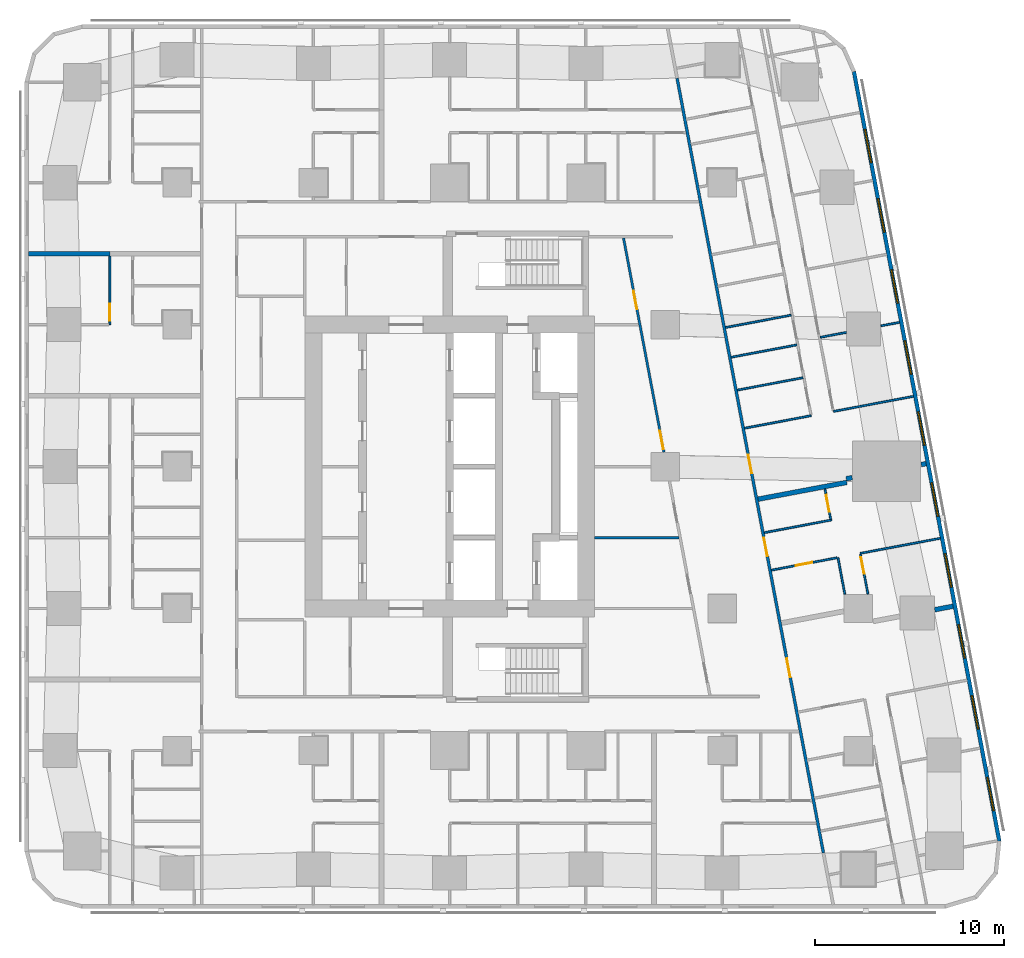
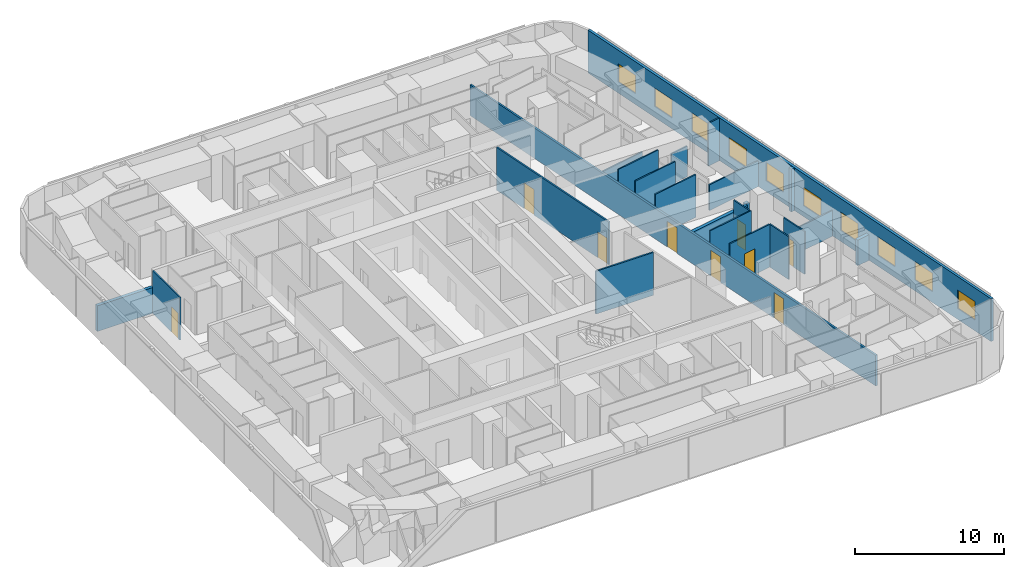
# One storey, part 7 of 14: 23 walls, 10 windows, 9 doors, 19 openings.
"""IFC4 building model written with IfcOpenShell, lengths in metres."""

from ifc_helpers import new_model, si_unit, direction, frame, frame_2d, origin, place, context, subcontext, project, spatial, rectangle, extrude, material, layer, layer_set, type_object, element, fill, save


model = new_model("IFC4")

# Units and contexts
model_context = context("Model", 3, precision=1e-05, world=origin(), true_north=direction((0.0, 1.0)))
body_context = subcontext(model_context, "Body", "Model", "MODEL_VIEW")
ifc_project = project(units=[si_unit("LENGTHUNIT", "METRE"), si_unit("AREAUNIT", "SQUARE_METRE"), si_unit("VOLUMEUNIT", "CUBIC_METRE"), si_unit("PLANEANGLEUNIT", "RADIAN"), si_unit("MASSUNIT", "GRAM", prefix="KILO")], contexts=[model_context])

# Site, building, storey
site_placement = place(None, origin())
site = spatial("IfcSite", under=ifc_project, at=site_placement, CompositionType="ELEMENT")
building_placement = place(site_placement, origin())
building = spatial("IfcBuilding", under=site, at=building_placement, Name="Sheger Commons Tower", CompositionType="ELEMENT")
storey_placement = place(building_placement, frame((0.0, 0.0, 135.800048828125)))
storey = spatial("IfcBuildingStorey", under=building, at=storey_placement, Name="L34", CompositionType="ELEMENT", Elevation=135.800048828125)

# Wall, openings, doors
ifc_material_1 = material(Name="Hollow concrete block masonry, skimmed both sides", Category="masonry")
ifc_layer_1 = layer(ifc_material_1, 0.14990234375)
ifc_layer_set_1 = layer_set([ifc_layer_1], Name="CORRIDOR WALL 150")
wall_type_1 = type_object("IfcWallType", Name="CORRIDOR WALL 150", PredefinedType="SOLIDWALL", material=ifc_layer_set_1)
wall_1_placement = place(storey_placement, frame((33.623046875, 43.02197265625, 0.0), z_axis=(0.0, 0.0, 1.0), x_axis=(0.185596841028, -0.98262597798, 0.0)))
wall_1 = element("IfcWall", 1, at=wall_1_placement, inside=storey, type_object=wall_type_1, Name="Corridor wall L34", PredefinedType="SOLIDWALL", context=body_context, shape_type="SweptSolid", body=[
    extrude(rectangle(XDim=41.659912109375, YDim=0.14990234375, at=frame_2d((20.830078125, 0.0))), origin(), (0.0, 0.0, 1.0), 2.5),
])
opening_1_placement = place(wall_1_placement, frame((20.241943359375, 0.0, 0.0)))
opening_1 = element("IfcOpeningElement", 2, at=opening_1_placement, cuts=wall_1, Name="Opening D1", PredefinedType="OPENING", context=body_context, shape_type="SweptSolid", body=[
    extrude(rectangle(XDim=1.0, YDim=2.10009765625, at=frame_2d((0.5, 1.050048828125))), frame((0.0, 0.0849609375, 0.0), z_axis=(0.0, -1.0, 0.0), x_axis=(1.0, 0.0, 0.0)), (0.0, 0.0, 1.0), 0.169921875),
])
opening_2_placement = place(wall_1_placement, frame((24.714111328125, 0.0, 0.0)))
opening_2 = element("IfcOpeningElement", 3, at=opening_2_placement, cuts=wall_1, Name="Opening D1", PredefinedType="OPENING", context=body_context, shape_type="SweptSolid", body=[
    extrude(rectangle(XDim=1.0, YDim=2.10009765625, at=frame_2d((0.5, 1.050048828125))), frame((0.0, 0.0849609375, 0.0), z_axis=(0.0, -1.0, 0.0), x_axis=(1.0, 0.0, 0.0)), (0.0, 0.0, 1.0), 0.169921875),
])
opening_3_placement = place(wall_1_placement, frame((31.2060546875, 0.0, 0.0)))
opening_3 = element("IfcOpeningElement", 4, at=opening_3_placement, cuts=wall_1, Name="Opening D1", PredefinedType="OPENING", context=body_context, shape_type="SweptSolid", body=[
    extrude(rectangle(XDim=1.0, YDim=2.10009765625, at=frame_2d((0.5, 1.050048828125))), frame((0.0, 0.0849609375, 0.0), z_axis=(0.0, -1.0, 0.0), x_axis=(1.0, 0.0, 0.0)), (0.0, 0.0, 1.0), 0.169921875),
])
ifc_material_2 = material(Name="Steel door set, fire rated", Category="steel")
door_type_1 = type_object("IfcDoorType", Name="FLAT ENTRANCE DOOR 1000x2100", OperationType="NOTDEFINED", PredefinedType="DOOR", material=ifc_material_2)
door_1_placement = place(opening_1_placement, origin())
door_1 = element("IfcDoor", 5, at=door_1_placement, inside=storey, type_object=door_type_1, Name="Flat entrance door", OperationType="SINGLE_SWING_LEFT", OverallHeight=2.10009765625, OverallWidth=1.0, PredefinedType="DOOR", context=body_context, shape_type="SweptSolid", body=[
    extrude(rectangle(XDim=1.0, YDim=2.10009765625, at=frame_2d((0.5, 1.050048828125))), frame((0.0, 0.02490234375, 0.0), z_axis=(0.0, -1.0, 0.0), x_axis=(1.0, 0.0, 0.0)), (0.0, 0.0, 1.0), 0.050048828125),
])
fill(opening_1, door_1)
door_2_placement = place(opening_2_placement, origin())
door_2 = element("IfcDoor", 6, at=door_2_placement, inside=storey, type_object=door_type_1, Name="Flat entrance door", OperationType="SINGLE_SWING_LEFT", OverallHeight=2.10009765625, OverallWidth=1.0, PredefinedType="DOOR", context=body_context, shape_type="SweptSolid", body=[
    extrude(rectangle(XDim=1.0, YDim=2.10009765625, at=frame_2d((0.5, 1.050048828125))), frame((0.0, 0.02490234375, 0.0), z_axis=(0.0, -1.0, 0.0), x_axis=(1.0, 0.0, 0.0)), (0.0, 0.0, 1.0), 0.050048828125),
])
fill(opening_2, door_2)
door_3_placement = place(opening_3_placement, origin())
door_3 = element("IfcDoor", 7, at=door_3_placement, inside=storey, type_object=door_type_1, Name="Flat entrance door", OperationType="SINGLE_SWING_LEFT", OverallHeight=2.10009765625, OverallWidth=1.0, PredefinedType="DOOR", context=body_context, shape_type="SweptSolid", body=[
    extrude(rectangle(XDim=1.0, YDim=2.10009765625, at=frame_2d((0.5, 1.050048828125))), frame((0.0, 0.02490234375, 0.0), z_axis=(0.0, -1.0, 0.0), x_axis=(1.0, 0.0, 0.0)), (0.0, 0.0, 1.0), 0.050048828125),
])
fill(opening_3, door_3)

# Walls
ifc_material_3 = material(Name="Dense concrete block masonry, plastered both sides (separating wall between flats)", Category="masonry")
ifc_layer_2 = layer(ifc_material_3, 0.25)
ifc_layer_set_2 = layer_set([ifc_layer_2], Name="DEMISING WALL 250")
wall_type_2 = type_object("IfcWallType", Name="DEMISING WALL 250", PredefinedType="SOLIDWALL", material=ifc_layer_set_2)
wall_2_placement = place(storey_placement, frame((-0.64990234375, 33.75, 0.0), z_axis=(0.0, 0.0, 1.0), x_axis=(1.0, 0.0, 0.0)))
element("IfcWall", 8, at=wall_2_placement, inside=storey, type_object=wall_type_2, Name="Demising wall L34", PredefinedType="SOLIDWALL", context=body_context, shape_type="SweptSolid", body=[
    extrude(rectangle(XDim=4.2998046875, YDim=0.25, at=frame_2d((2.14990234375, 0.0))), origin(), (0.0, 0.0, 1.0), 2.099853515625),
])
wall_3_placement = place(storey_placement, frame((46.781982421875, 22.656982421875, 0.0), z_axis=(0.0, 0.0, 1.0), x_axis=(-0.982104607121, -0.188336243648, 0.0)))
element("IfcWall", 9, at=wall_3_placement, inside=storey, type_object=wall_type_2, Name="Demising wall L34", PredefinedType="SOLIDWALL", context=body_context, shape_type="SweptSolid", body=[
    extrude(rectangle(XDim=0.265625, YDim=0.25, at=frame_2d((0.1328125, 0.0))), origin(), (0.0, 0.0, 1.0), 3.5),
])
wall_4_placement = place(storey_placement, frame((42.873046875, 21.91796875, 0.0), z_axis=(0.0, 0.0, 1.0), x_axis=(-0.982431406936, -0.186624035603, 0.0)))
element("IfcWall", 10, at=wall_4_placement, inside=storey, type_object=wall_type_2, Name="Demising wall L34", PredefinedType="SOLIDWALL", context=body_context, shape_type="SweptSolid", body=[
    extrude(rectangle(XDim=0.32177734375, YDim=0.25, at=frame_2d((0.160888671875, 0.0))), origin(), (0.0, 0.0, 1.0), 2.5),
])
wall_5_placement = place(storey_placement, frame((42.593017578125, 21.6650390625, 0.0), z_axis=(0.0, 0.0, 1.0), x_axis=(-0.982635807605, -0.185544791394, 0.0)))
element("IfcWall", 11, at=wall_5_placement, inside=storey, type_object=wall_type_2, Name="Demising wall L34", PredefinedType="SOLIDWALL", context=body_context, shape_type="SweptSolid", body=[
    extrude(rectangle(XDim=4.775146484375, YDim=0.25, at=frame_2d((2.3876953125, 0.0))), origin(), (0.0, 0.0, 1.0), 2.5),
])
wall_6_placement = place(storey_placement, frame((48.2060546875, 15.1201171875, 0.0), z_axis=(0.0, 0.0, 1.0), x_axis=(-0.982576361834, -0.185859337043, 0.0)))
element("IfcWall", 12, at=wall_6_placement, inside=storey, type_object=wall_type_2, Name="Demising wall L34", PredefinedType="SOLIDWALL", context=body_context, shape_type="SweptSolid", body=[
    extrude(rectangle(XDim=0.985107421875, YDim=0.25, at=frame_2d((0.49267578125, 0.0))), origin(), (0.0, 0.0, 1.0), 2.099853515625),
])

# Wall, openings, windows
ifc_material_4 = material(Name="Rendered concrete block masonry, dark grey", Category="masonry")
ifc_layer_3 = layer(ifc_material_4, 0.199951171875)
ifc_layer_set_3 = layer_set([ifc_layer_3], Name="FACADE WALL 200")
wall_type_3 = type_object("IfcWallType", Name="FACADE WALL 200", PredefinedType="SOLIDWALL", material=ifc_layer_set_3)
wall_7_placement = place(storey_placement, frame((50.653076171875, 2.702880859375, 0.0), z_axis=(0.0, 0.0, 1.0), x_axis=(-0.185612026696, 0.982623109613, 0.0)))
wall_7 = element("IfcWall", 13, at=wall_7_placement, inside=storey, type_object=wall_type_3, Name="Facade wall L34", PredefinedType="SOLIDWALL", context=body_context, shape_type="SweptSolid", body=[
    extrude(rectangle(XDim=41.393310546875, YDim=0.199951171875, at=frame_2d((20.69677734375, 0.0))), origin(), (0.0, 0.0, 1.0), 3.5),
])
opening_4_placement = place(wall_7_placement, frame((1.633056640625, 0.0, 0.89990234375)))
opening_4 = element("IfcOpeningElement", 14, at=opening_4_placement, cuts=wall_7, Name="Opening W2", PredefinedType="OPENING", context=body_context, shape_type="SweptSolid", body=[
    extrude(rectangle(XDim=1.800048828125, YDim=1.5, at=frame_2d((0.89990234375, 0.75))), frame((0.0, 0.10986328125, 0.0), z_axis=(0.0, -1.0, 0.0), x_axis=(1.0, 0.0, 0.0)), (0.0, 0.0, 1.0), 0.219970703125),
])
opening_5_placement = place(wall_7_placement, frame((6.031982421875, 0.0, 0.89990234375)))
opening_5 = element("IfcOpeningElement", 15, at=opening_5_placement, cuts=wall_7, Name="Opening W2", PredefinedType="OPENING", context=body_context, shape_type="SweptSolid", body=[
    extrude(rectangle(XDim=1.800048828125, YDim=1.5, at=frame_2d((0.89990234375, 0.75))), frame((0.0, 0.10986328125, 0.0), z_axis=(0.0, -1.0, 0.0), x_axis=(1.0, 0.0, 0.0)), (0.0, 0.0, 1.0), 0.219970703125),
])
opening_6_placement = place(wall_7_placement, frame((9.847900390625, 0.0, 0.89990234375)))
opening_6 = element("IfcOpeningElement", 16, at=opening_6_placement, cuts=wall_7, Name="Opening W2", PredefinedType="OPENING", context=body_context, shape_type="SweptSolid", body=[
    extrude(rectangle(XDim=1.800048828125, YDim=1.5, at=frame_2d((0.89990234375, 0.75))), frame((0.0, 0.10986328125, 0.0), z_axis=(0.0, -1.0, 0.0), x_axis=(1.0, 0.0, 0.0)), (0.0, 0.0, 1.0), 0.219970703125),
])
opening_7_placement = place(wall_7_placement, frame((13.6640625, 0.0, 0.89990234375)))
opening_7 = element("IfcOpeningElement", 17, at=opening_7_placement, cuts=wall_7, Name="Opening W2", PredefinedType="OPENING", context=body_context, shape_type="SweptSolid", body=[
    extrude(rectangle(XDim=1.800048828125, YDim=1.5, at=frame_2d((0.89990234375, 0.75))), frame((0.0, 0.10986328125, 0.0), z_axis=(0.0, -1.0, 0.0), x_axis=(1.0, 0.0, 0.0)), (0.0, 0.0, 1.0), 0.219970703125),
])
opening_8_placement = place(wall_7_placement, frame((17.48095703125, 0.0, 0.89990234375)))
opening_8 = element("IfcOpeningElement", 18, at=opening_8_placement, cuts=wall_7, Name="Opening W2", PredefinedType="OPENING", context=body_context, shape_type="SweptSolid", body=[
    extrude(rectangle(XDim=1.800048828125, YDim=1.5, at=frame_2d((0.89990234375, 0.75))), frame((0.0, 0.10986328125, 0.0), z_axis=(0.0, -1.0, 0.0), x_axis=(1.0, 0.0, 0.0)), (0.0, 0.0, 1.0), 0.219970703125),
])
opening_9_placement = place(wall_7_placement, frame((21.297119140625, 0.0, 0.89990234375)))
opening_9 = element("IfcOpeningElement", 19, at=opening_9_placement, cuts=wall_7, Name="Opening W2", PredefinedType="OPENING", context=body_context, shape_type="SweptSolid", body=[
    extrude(rectangle(XDim=1.800048828125, YDim=1.5, at=frame_2d((0.89990234375, 0.75))), frame((0.0, 0.10986328125, 0.0), z_axis=(0.0, -1.0, 0.0), x_axis=(1.0, 0.0, 0.0)), (0.0, 0.0, 1.0), 0.219970703125),
])
opening_10_placement = place(wall_7_placement, frame((25.113037109375, 0.0, 0.89990234375)))
opening_10 = element("IfcOpeningElement", 20, at=opening_10_placement, cuts=wall_7, Name="Opening W2", PredefinedType="OPENING", context=body_context, shape_type="SweptSolid", body=[
    extrude(rectangle(XDim=1.800048828125, YDim=1.5, at=frame_2d((0.89990234375, 0.75))), frame((0.0, 0.10986328125, 0.0), z_axis=(0.0, -1.0, 0.0), x_axis=(1.0, 0.0, 0.0)), (0.0, 0.0, 1.0), 0.219970703125),
])
opening_11_placement = place(wall_7_placement, frame((28.929931640625, 0.0, 0.89990234375)))
opening_11 = element("IfcOpeningElement", 21, at=opening_11_placement, cuts=wall_7, Name="Opening W2", PredefinedType="OPENING", context=body_context, shape_type="SweptSolid", body=[
    extrude(rectangle(XDim=1.800048828125, YDim=1.5, at=frame_2d((0.89990234375, 0.75))), frame((0.0, 0.10986328125, 0.0), z_axis=(0.0, -1.0, 0.0), x_axis=(1.0, 0.0, 0.0)), (0.0, 0.0, 1.0), 0.219970703125),
])
opening_12_placement = place(wall_7_placement, frame((32.74609375, 0.0, 0.89990234375)))
opening_12 = element("IfcOpeningElement", 22, at=opening_12_placement, cuts=wall_7, Name="Opening W2", PredefinedType="OPENING", context=body_context, shape_type="SweptSolid", body=[
    extrude(rectangle(XDim=1.800048828125, YDim=1.5, at=frame_2d((0.89990234375, 0.75))), frame((0.0, 0.10986328125, 0.0), z_axis=(0.0, -1.0, 0.0), x_axis=(1.0, 0.0, 0.0)), (0.0, 0.0, 1.0), 0.219970703125),
])
opening_13_placement = place(wall_7_placement, frame((36.48095703125, 0.0, 0.89990234375)))
opening_13 = element("IfcOpeningElement", 23, at=opening_13_placement, cuts=wall_7, Name="Opening W2", PredefinedType="OPENING", context=body_context, shape_type="SweptSolid", body=[
    extrude(rectangle(XDim=1.800048828125, YDim=1.5, at=frame_2d((0.89990234375, 0.75))), frame((0.0, 0.10986328125, 0.0), z_axis=(0.0, -1.0, 0.0), x_axis=(1.0, 0.0, 0.0)), (0.0, 0.0, 1.0), 0.219970703125),
])
ifc_material_5 = material(Name="Black aluminium frame, dark tinted double glazing", Category="aluminium")
window_type = type_object("IfcWindowType", Name="WINDOW W2 1800x1500", PartitioningType="SINGLE_PANEL", PredefinedType="WINDOW", material=ifc_material_5)
window_1_placement = place(opening_4_placement, origin())
window_1 = element("IfcWindow", 24, at=window_1_placement, inside=storey, type_object=window_type, Name="Window W2 1800X1500", OverallHeight=1.5, OverallWidth=1.800048828125, PartitioningType="SINGLE_PANEL", PredefinedType="WINDOW", context=body_context, shape_type="SweptSolid", body=[
    extrude(rectangle(XDim=1.800048828125, YDim=1.5, at=frame_2d((0.89990234375, 0.75))), frame((0.0, 0.030029296875, 0.0), z_axis=(0.0, -1.0, 0.0), x_axis=(1.0, 0.0, 0.0)), (0.0, 0.0, 1.0), 0.06005859375),
])
fill(opening_4, window_1)
window_2_placement = place(opening_5_placement, origin())
window_2 = element("IfcWindow", 25, at=window_2_placement, inside=storey, type_object=window_type, Name="Window W2 1800X1500", OverallHeight=1.5, OverallWidth=1.800048828125, PartitioningType="SINGLE_PANEL", PredefinedType="WINDOW", context=body_context, shape_type="SweptSolid", body=[
    extrude(rectangle(XDim=1.800048828125, YDim=1.5, at=frame_2d((0.89990234375, 0.75))), frame((0.0, 0.030029296875, 0.0), z_axis=(0.0, -1.0, 0.0), x_axis=(1.0, 0.0, 0.0)), (0.0, 0.0, 1.0), 0.06005859375),
])
fill(opening_5, window_2)
window_3_placement = place(opening_6_placement, origin())
window_3 = element("IfcWindow", 26, at=window_3_placement, inside=storey, type_object=window_type, Name="Window W2 1800X1500", OverallHeight=1.5, OverallWidth=1.800048828125, PartitioningType="SINGLE_PANEL", PredefinedType="WINDOW", context=body_context, shape_type="SweptSolid", body=[
    extrude(rectangle(XDim=1.800048828125, YDim=1.5, at=frame_2d((0.89990234375, 0.75))), frame((0.0, 0.030029296875, 0.0), z_axis=(0.0, -1.0, 0.0), x_axis=(1.0, 0.0, 0.0)), (0.0, 0.0, 1.0), 0.06005859375),
])
fill(opening_6, window_3)
window_4_placement = place(opening_7_placement, origin())
window_4 = element("IfcWindow", 27, at=window_4_placement, inside=storey, type_object=window_type, Name="Window W2 1800X1500", OverallHeight=1.5, OverallWidth=1.800048828125, PartitioningType="SINGLE_PANEL", PredefinedType="WINDOW", context=body_context, shape_type="SweptSolid", body=[
    extrude(rectangle(XDim=1.800048828125, YDim=1.5, at=frame_2d((0.89990234375, 0.75))), frame((0.0, 0.030029296875, 0.0), z_axis=(0.0, -1.0, 0.0), x_axis=(1.0, 0.0, 0.0)), (0.0, 0.0, 1.0), 0.06005859375),
])
fill(opening_7, window_4)
window_5_placement = place(opening_8_placement, origin())
window_5 = element("IfcWindow", 28, at=window_5_placement, inside=storey, type_object=window_type, Name="Window W2 1800X1500", OverallHeight=1.5, OverallWidth=1.800048828125, PartitioningType="SINGLE_PANEL", PredefinedType="WINDOW", context=body_context, shape_type="SweptSolid", body=[
    extrude(rectangle(XDim=1.800048828125, YDim=1.5, at=frame_2d((0.89990234375, 0.75))), frame((0.0, 0.030029296875, 0.0), z_axis=(0.0, -1.0, 0.0), x_axis=(1.0, 0.0, 0.0)), (0.0, 0.0, 1.0), 0.06005859375),
])
fill(opening_8, window_5)
window_6_placement = place(opening_9_placement, origin())
window_6 = element("IfcWindow", 29, at=window_6_placement, inside=storey, type_object=window_type, Name="Window W2 1800X1500", OverallHeight=1.5, OverallWidth=1.800048828125, PartitioningType="SINGLE_PANEL", PredefinedType="WINDOW", context=body_context, shape_type="SweptSolid", body=[
    extrude(rectangle(XDim=1.800048828125, YDim=1.5, at=frame_2d((0.89990234375, 0.75))), frame((0.0, 0.030029296875, 0.0), z_axis=(0.0, -1.0, 0.0), x_axis=(1.0, 0.0, 0.0)), (0.0, 0.0, 1.0), 0.06005859375),
])
fill(opening_9, window_6)
window_7_placement = place(opening_10_placement, origin())
window_7 = element("IfcWindow", 30, at=window_7_placement, inside=storey, type_object=window_type, Name="Window W2 1800X1500", OverallHeight=1.5, OverallWidth=1.800048828125, PartitioningType="SINGLE_PANEL", PredefinedType="WINDOW", context=body_context, shape_type="SweptSolid", body=[
    extrude(rectangle(XDim=1.800048828125, YDim=1.5, at=frame_2d((0.89990234375, 0.75))), frame((0.0, 0.030029296875, 0.0), z_axis=(0.0, -1.0, 0.0), x_axis=(1.0, 0.0, 0.0)), (0.0, 0.0, 1.0), 0.06005859375),
])
fill(opening_10, window_7)
window_8_placement = place(opening_11_placement, origin())
window_8 = element("IfcWindow", 31, at=window_8_placement, inside=storey, type_object=window_type, Name="Window W2 1800X1500", OverallHeight=1.5, OverallWidth=1.800048828125, PartitioningType="SINGLE_PANEL", PredefinedType="WINDOW", context=body_context, shape_type="SweptSolid", body=[
    extrude(rectangle(XDim=1.800048828125, YDim=1.5, at=frame_2d((0.89990234375, 0.75))), frame((0.0, 0.030029296875, 0.0), z_axis=(0.0, -1.0, 0.0), x_axis=(1.0, 0.0, 0.0)), (0.0, 0.0, 1.0), 0.06005859375),
])
fill(opening_11, window_8)
window_9_placement = place(opening_12_placement, origin())
window_9 = element("IfcWindow", 32, at=window_9_placement, inside=storey, type_object=window_type, Name="Window W2 1800X1500", OverallHeight=1.5, OverallWidth=1.800048828125, PartitioningType="SINGLE_PANEL", PredefinedType="WINDOW", context=body_context, shape_type="SweptSolid", body=[
    extrude(rectangle(XDim=1.800048828125, YDim=1.5, at=frame_2d((0.89990234375, 0.75))), frame((0.0, 0.030029296875, 0.0), z_axis=(0.0, -1.0, 0.0), x_axis=(1.0, 0.0, 0.0)), (0.0, 0.0, 1.0), 0.06005859375),
])
fill(opening_12, window_9)
window_10_placement = place(opening_13_placement, origin())
window_10 = element("IfcWindow", 33, at=window_10_placement, inside=storey, type_object=window_type, Name="Window W2 1800X1500", OverallHeight=1.5, OverallWidth=1.800048828125, PartitioningType="SINGLE_PANEL", PredefinedType="WINDOW", context=body_context, shape_type="SweptSolid", body=[
    extrude(rectangle(XDim=1.800048828125, YDim=1.5, at=frame_2d((0.89990234375, 0.75))), frame((0.0, 0.030029296875, 0.0), z_axis=(0.0, -1.0, 0.0), x_axis=(1.0, 0.0, 0.0)), (0.0, 0.0, 1.0), 0.06005859375),
])
fill(opening_13, window_10)

# Wall, opening, door
ifc_material_6 = material(Name="Gypsum board on steel studs", Category="steel")
ifc_layer_4 = layer(ifc_material_6, 0.10009765625)
ifc_layer_set_4 = layer_set([ifc_layer_4], Name="PARTITION 100")
wall_type_4 = type_object("IfcWallType", Name="PARTITION 100", PredefinedType="PARTITIONING", material=ifc_layer_set_4)
wall_8_placement = place(storey_placement, frame((3.64990234375, 30.0, 0.0), z_axis=(0.0, 0.0, 1.0), x_axis=(0.0, 1.0, 0.0)))
wall_8 = element("IfcWall", 34, at=wall_8_placement, inside=storey, type_object=wall_type_4, Name="Partition L34", PredefinedType="PARTITIONING", context=body_context, shape_type="SweptSolid", body=[
    extrude(rectangle(XDim=3.625, YDim=0.10009765625, at=frame_2d((1.8125, 0.0))), origin(), (0.0, 0.0, 1.0), 3.5),
])
opening_14_placement = place(wall_8_placement, frame((0.199951171875, 0.0, 0.0)))
opening_14 = element("IfcOpeningElement", 35, at=opening_14_placement, cuts=wall_8, Name="Opening D2", PredefinedType="OPENING", context=body_context, shape_type="SweptSolid", body=[
    extrude(rectangle(XDim=0.89990234375, YDim=2.10009765625, at=frame_2d((0.449951171875, 1.050048828125))), frame((0.0, 0.06005859375, 0.0), z_axis=(0.0, -1.0, 0.0), x_axis=(1.0, 0.0, 0.0)), (0.0, 0.0, 1.0), 0.1201171875),
])
ifc_material_7 = material(Name="Timber door set", Category="wood")
door_type_2 = type_object("IfcDoorType", Name="INTERNAL DOOR 900x2100", OperationType="NOTDEFINED", PredefinedType="DOOR", material=ifc_material_7)
door_4_placement = place(opening_14_placement, origin())
door_4 = element("IfcDoor", 36, at=door_4_placement, inside=storey, type_object=door_type_2, Name="Main bedroom door", OperationType="SINGLE_SWING_LEFT", OverallHeight=2.10009765625, OverallWidth=0.89990234375, PredefinedType="DOOR", context=body_context, shape_type="SweptSolid", body=[
    extrude(rectangle(XDim=0.89990234375, YDim=2.10009765625, at=frame_2d((0.449951171875, 1.050048828125))), frame((0.0, 0.02490234375, 0.0), z_axis=(0.0, -1.0, 0.0), x_axis=(1.0, 0.0, 0.0)), (0.0, 0.0, 1.0), 0.050048828125),
])
fill(opening_14, door_4)

# Walls
wall_9_placement = place(storey_placement, frame((45.3720703125, 30.12109375, 0.0), z_axis=(0.0, 0.0, 1.0), x_axis=(-0.982708646087, -0.185158626332, 0.0)))
element("IfcWall", 37, at=wall_9_placement, inside=storey, type_object=wall_type_4, Name="Partition L34", PredefinedType="PARTITIONING", context=body_context, shape_type="SweptSolid", body=[
    extrude(rectangle(XDim=0.99951171875, YDim=0.10009765625, at=frame_2d((0.499755859375, 0.0))), origin(), (0.0, 0.0, 1.0), 3.5),
])
wall_10_placement = place(storey_placement, frame((42.570068359375, 29.592041015625, 0.0), z_axis=(0.0, 0.0, 1.0), x_axis=(-0.982562488259, -0.185932667021, 0.0)))
element("IfcWall", 38, at=wall_10_placement, inside=storey, type_object=wall_type_4, Name="Partition L34", PredefinedType="PARTITIONING", context=body_context, shape_type="SweptSolid", body=[
    extrude(rectangle(XDim=1.3984375, YDim=0.10009765625, at=frame_2d((0.69921875, 0.0))), origin(), (0.0, 0.0, 1.0), 2.5),
])
wall_11_placement = place(storey_placement, frame((46.110107421875, 26.212890625, 0.0), z_axis=(0.0, 0.0, 1.0), x_axis=(-0.982633535512, -0.185556823879, 0.0)))
element("IfcWall", 39, at=wall_11_placement, inside=storey, type_object=wall_type_4, Name="Partition L34", PredefinedType="PARTITIONING", context=body_context, shape_type="SweptSolid", body=[
    extrude(rectangle(XDim=4.2998046875, YDim=0.10009765625, at=frame_2d((2.14990234375, 0.0))), origin(), (0.0, 0.0, 1.0), 2.099853515625),
])
wall_12_placement = place(storey_placement, frame((39.947998046875, 28.931884765625, 0.0), z_axis=(0.0, 0.0, 1.0), x_axis=(-0.98265117712, -0.185463376723, 0.0)))
element("IfcWall", 40, at=wall_12_placement, inside=storey, type_object=wall_type_4, Name="Partition L34", PredefinedType="PARTITIONING", context=body_context, shape_type="SweptSolid", body=[
    extrude(rectangle(XDim=3.525390625, YDim=0.10009765625, at=frame_2d((1.7626953125, 0.0))), origin(), (0.0, 0.0, 1.0), 3.5),
])
wall_13_placement = place(storey_placement, frame((40.7060546875, 25.19189453125, 0.0), z_axis=(0.0, 0.0, 1.0), x_axis=(-0.982610675728, -0.185677839134, 0.0)))
element("IfcWall", 41, at=wall_13_placement, inside=storey, type_object=wall_type_4, Name="Partition L34", PredefinedType="PARTITIONING", context=body_context, shape_type="SweptSolid", body=[
    extrude(rectangle(XDim=3.5751953125, YDim=0.10009765625, at=frame_2d((1.78759765625, 0.0))), origin(), (0.0, 0.0, 1.0), 3.5),
])
wall_14_placement = place(storey_placement, frame((40.27587890625, 27.197021484375, 0.0), z_axis=(0.0, 0.0, 1.0), x_axis=(-0.982636169624, -0.185542874149, 0.0)))
element("IfcWall", 42, at=wall_14_placement, inside=storey, type_object=wall_type_4, Name="Partition L34", PredefinedType="PARTITIONING", context=body_context, shape_type="SweptSolid", body=[
    extrude(rectangle(XDim=3.525146484375, YDim=0.10009765625, at=frame_2d((1.7626953125, 0.0))), origin(), (0.0, 0.0, 1.0), 3.5),
])
wall_15_placement = place(storey_placement, frame((39.65087890625, 30.50390625, 0.0), z_axis=(0.0, 0.0, 1.0), x_axis=(-0.98263926043, -0.185526504472, 0.0)))
element("IfcWall", 43, at=wall_15_placement, inside=storey, type_object=wall_type_4, Name="Partition L34", PredefinedType="PARTITIONING", context=body_context, shape_type="SweptSolid", body=[
    extrude(rectangle(XDim=3.524169921875, YDim=0.10009765625, at=frame_2d((1.76220703125, 0.0))), origin(), (0.0, 0.0, 1.0), 2.5),
])

# Wall, opening, door
wall_16_placement = place(storey_placement, frame((41.43701171875, 21.319091796875, 0.0), z_axis=(0.0, 0.0, 1.0), x_axis=(0.185793689589, -0.982588777113, 0.0)))
wall_16 = element("IfcWall", 44, at=wall_16_placement, inside=storey, type_object=wall_type_4, Name="Partition L34", PredefinedType="PARTITIONING", context=body_context, shape_type="SweptSolid", body=[
    extrude(rectangle(XDim=1.62548828125, YDim=0.10009765625, at=frame_2d((0.812744140625, 0.0))), origin(), (0.0, 0.0, 1.0), 3.5),
])
opening_15_placement = place(wall_16_placement, frame((0.324951171875, 0.0, 0.0)))
opening_15 = element("IfcOpeningElement", 45, at=opening_15_placement, cuts=wall_16, Name="Opening D2", PredefinedType="OPENING", context=body_context, shape_type="SweptSolid", body=[
    extrude(rectangle(XDim=0.89990234375, YDim=2.10009765625, at=frame_2d((0.449951171875, 1.050048828125))), frame((0.0, 0.06005859375, 0.0), z_axis=(0.0, -1.0, 0.0), x_axis=(1.0, 0.0, 0.0)), (0.0, 0.0, 1.0), 0.1201171875),
])
door_5_placement = place(opening_15_placement, origin())
door_5 = element("IfcDoor", 46, at=door_5_placement, inside=storey, type_object=door_type_2, Name="Shower room door", OperationType="SINGLE_SWING_RIGHT", OverallHeight=2.10009765625, OverallWidth=0.89990234375, PredefinedType="DOOR", context=body_context, shape_type="SweptSolid", body=[
    extrude(rectangle(XDim=0.89990234375, YDim=2.10009765625, at=frame_2d((0.449951171875, 1.050048828125))), frame((0.0, 0.02490234375, 0.0), z_axis=(0.0, -1.0, 0.0), x_axis=(1.0, 0.0, 0.0)), (0.0, 0.0, 1.0), 0.050048828125),
])
fill(opening_15, door_5)

# Wall
wall_17_placement = place(storey_placement, frame((41.798095703125, 19.681884765625, 0.0), z_axis=(0.0, 0.0, 1.0), x_axis=(-0.982681091817, -0.185304807776, 0.0)))
element("IfcWall", 47, at=wall_17_placement, inside=storey, type_object=wall_type_4, Name="Partition L34", PredefinedType="PARTITIONING", context=body_context, shape_type="SweptSolid", body=[
    extrude(rectangle(XDim=3.625732421875, YDim=0.10009765625, at=frame_2d((1.81298828125, 0.0))), origin(), (0.0, 0.0, 1.0), 3.5),
])

# Wall, opening, door
wall_18_placement = place(storey_placement, frame((43.31103515625, 17.864990234375, 0.0), z_axis=(0.0, 0.0, 1.0), x_axis=(0.185760825203, -0.982594990736, 0.0)))
wall_18 = element("IfcWall", 48, at=wall_18_placement, inside=storey, type_object=wall_type_4, Name="Partition L34", PredefinedType="PARTITIONING", context=body_context, shape_type="SweptSolid", body=[
    extrude(rectangle(XDim=2.142333984375, YDim=0.10009765625, at=frame_2d((1.0712890625, 0.0))), origin(), (0.0, 0.0, 1.0), 3.5),
])
opening_16_placement = place(wall_18_placement, frame((0.14990234375, 0.0, 0.0)))
opening_16 = element("IfcOpeningElement", 49, at=opening_16_placement, cuts=wall_18, Name="Opening D2", PredefinedType="OPENING", context=body_context, shape_type="SweptSolid", body=[
    extrude(rectangle(XDim=0.89990234375, YDim=2.10009765625, at=frame_2d((0.449951171875, 1.050048828125))), frame((0.0, 0.06005859375, 0.0), z_axis=(0.0, -1.0, 0.0), x_axis=(1.0, 0.0, 0.0)), (0.0, 0.0, 1.0), 0.1201171875),
])
door_6_placement = place(opening_16_placement, origin())
door_6 = element("IfcDoor", 50, at=door_6_placement, inside=storey, type_object=door_type_2, Name="Main bedroom door", OperationType="SINGLE_SWING_LEFT", OverallHeight=2.10009765625, OverallWidth=0.89990234375, PredefinedType="DOOR", context=body_context, shape_type="SweptSolid", body=[
    extrude(rectangle(XDim=0.89990234375, YDim=2.10009765625, at=frame_2d((0.449951171875, 1.050048828125))), frame((0.0, 0.02490234375, 0.0), z_axis=(0.0, -1.0, 0.0), x_axis=(1.0, 0.0, 0.0)), (0.0, 0.0, 1.0), 0.050048828125),
])
fill(opening_16, door_6)

# Walls
wall_19_placement = place(storey_placement, frame((42.123046875, 17.69091796875, 0.0), z_axis=(0.0, 0.0, 1.0), x_axis=(0.185554843339, -0.982633909507, 0.0)))
element("IfcWall", 51, at=wall_19_placement, inside=storey, type_object=wall_type_4, Name="Partition L34", PredefinedType="PARTITIONING", context=body_context, shape_type="SweptSolid", body=[
    extrude(rectangle(XDim=1.967041015625, YDim=0.10009765625, at=frame_2d((0.9833984375, 0.0))), origin(), (0.0, 0.0, 1.0), 3.5),
])
wall_20_placement = place(storey_placement, frame((47.527099609375, 18.7119140625, 0.0), z_axis=(0.0, 0.0, 1.0), x_axis=(-0.982633535512, -0.185556823879, 0.0)))
element("IfcWall", 52, at=wall_20_placement, inside=storey, type_object=wall_type_4, Name="Partition L34", PredefinedType="PARTITIONING", context=body_context, shape_type="SweptSolid", body=[
    extrude(rectangle(XDim=4.2998046875, YDim=0.10009765625, at=frame_2d((2.14990234375, 0.0))), origin(), (0.0, 0.0, 1.0), 2.099853515625),
])

# Wall, opening, door
wall_21_placement = place(storey_placement, frame((42.073974609375, 17.681884765625, 0.0), z_axis=(0.0, 0.0, 1.0), x_axis=(-0.982660701716, -0.185412904897, 0.0)))
wall_21 = element("IfcWall", 53, at=wall_21_placement, inside=storey, type_object=wall_type_4, Name="Partition L34", PredefinedType="PARTITIONING", context=body_context, shape_type="SweptSolid", body=[
    extrude(rectangle(XDim=3.526123046875, YDim=0.10009765625, at=frame_2d((1.76318359375, 0.0))), origin(), (0.0, 0.0, 1.0), 3.5),
])
opening_17_placement = place(wall_21_placement, frame((1.325927734375, 0.0, 0.0)))
opening_17 = element("IfcOpeningElement", 54, at=opening_17_placement, cuts=wall_21, Name="Opening D2", PredefinedType="OPENING", context=body_context, shape_type="SweptSolid", body=[
    extrude(rectangle(XDim=0.89990234375, YDim=2.10009765625, at=frame_2d((0.449951171875, 1.050048828125))), frame((0.0, 0.06005859375, 0.0), z_axis=(0.0, -1.0, 0.0), x_axis=(1.0, 0.0, 0.0)), (0.0, 0.0, 1.0), 0.1201171875),
])
door_7_placement = place(opening_17_placement, origin())
door_7 = element("IfcDoor", 55, at=door_7_placement, inside=storey, type_object=door_type_2, Name="Store door", OperationType="SINGLE_SWING_RIGHT", OverallHeight=2.10009765625, OverallWidth=0.89990234375, PredefinedType="DOOR", context=body_context, shape_type="SweptSolid", body=[
    extrude(rectangle(XDim=0.89990234375, YDim=2.10009765625, at=frame_2d((0.449951171875, 1.050048828125))), frame((0.0, 0.02490234375, 0.0), z_axis=(0.0, -1.0, 0.0), x_axis=(1.0, 0.0, 0.0)), (0.0, 0.0, 1.0), 0.050048828125),
])
fill(opening_17, door_7)

# Wall, openings, doors
ifc_material_8 = material(Name="Gypsum board on steel studs, two layers each side, fire rated", Category="steel")
ifc_layer_5 = layer(ifc_material_8, 0.125)
ifc_layer_set_5 = layer_set([ifc_layer_5], Name="SERVICE WALL 125")
wall_type_5 = type_object("IfcWallType", Name="SERVICE WALL 125", PredefinedType="PARTITIONING", material=ifc_layer_set_5)
wall_22_placement = place(storey_placement, frame((32.928955078125, 23.262939453125, 0.0), z_axis=(0.0, 0.0, 1.0), x_axis=(-0.185612234763, 0.982623070311, 0.0)))
wall_22 = element("IfcWall", 56, at=wall_22_placement, inside=storey, type_object=wall_type_5, Name="Service room wall L34", PredefinedType="PARTITIONING", context=body_context, shape_type="SweptSolid", body=[
    extrude(rectangle(XDim=11.512939453125, YDim=0.125, at=frame_2d((5.75634765625, 0.0))), origin(), (0.0, 0.0, 1.0), 3.5),
])
opening_18_placement = place(wall_22_placement, frame((0.14990234375, 0.0, 0.0)))
opening_18 = element("IfcOpeningElement", 57, at=opening_18_placement, cuts=wall_22, Name="Opening D4", PredefinedType="OPENING", context=body_context, shape_type="SweptSolid", body=[
    extrude(rectangle(XDim=1.0, YDim=2.10009765625, at=frame_2d((0.5, 1.050048828125))), frame((0.0, 0.072509765625, 0.0), z_axis=(0.0, -1.0, 0.0), x_axis=(1.0, 0.0, 0.0)), (0.0, 0.0, 1.0), 0.14501953125),
])
opening_19_placement = place(wall_22_placement, frame((7.678955078125, 0.0, 0.0)))
opening_19 = element("IfcOpeningElement", 58, at=opening_19_placement, cuts=wall_22, Name="Opening D4", PredefinedType="OPENING", context=body_context, shape_type="SweptSolid", body=[
    extrude(rectangle(XDim=1.0, YDim=2.10009765625, at=frame_2d((0.5, 1.050048828125))), frame((0.0, 0.072509765625, 0.0), z_axis=(0.0, -1.0, 0.0), x_axis=(1.0, 0.0, 0.0)), (0.0, 0.0, 1.0), 0.14501953125),
])
ifc_material_9 = material(Name="Steel door set, fire rated", Category="steel")
door_type_3 = type_object("IfcDoorType", Name="SERVICE DOOR 1000x2100", OperationType="NOTDEFINED", PredefinedType="DOOR", material=ifc_material_9)
door_8_placement = place(opening_18_placement, origin())
door_8 = element("IfcDoor", 59, at=door_8_placement, inside=storey, type_object=door_type_3, Name="Residents' lounge door", OperationType="SINGLE_SWING_LEFT", OverallHeight=2.10009765625, OverallWidth=1.0, PredefinedType="DOOR", context=body_context, shape_type="SweptSolid", body=[
    extrude(rectangle(XDim=1.0, YDim=2.10009765625, at=frame_2d((0.5, 1.050048828125))), frame((0.0, 0.02490234375, 0.0), z_axis=(0.0, -1.0, 0.0), x_axis=(1.0, 0.0, 0.0)), (0.0, 0.0, 1.0), 0.050048828125),
])
fill(opening_18, door_8)
door_9_placement = place(opening_19_placement, origin())
door_9 = element("IfcDoor", 60, at=door_9_placement, inside=storey, type_object=door_type_3, Name="Linen store door", OperationType="SINGLE_SWING_LEFT", OverallHeight=2.10009765625, OverallWidth=1.0, PredefinedType="DOOR", context=body_context, shape_type="SweptSolid", body=[
    extrude(rectangle(XDim=1.0, YDim=2.10009765625, at=frame_2d((0.5, 1.050048828125))), frame((0.0, 0.02490234375, 0.0), z_axis=(0.0, -1.0, 0.0), x_axis=(1.0, 0.0, 0.0)), (0.0, 0.0, 1.0), 0.050048828125),
])
fill(opening_19, door_9)

# Wall
wall_23_placement = place(storey_placement, frame((29.25, 18.75, 0.0), z_axis=(0.0, 0.0, 1.0), x_axis=(1.0, 0.0, 0.0)))
element("IfcWall", 61, at=wall_23_placement, inside=storey, type_object=wall_type_5, Name="Service room wall L34", PredefinedType="PARTITIONING", context=body_context, shape_type="SweptSolid", body=[
    extrude(rectangle(XDim=4.467041015625, YDim=0.125, at=frame_2d((2.2333984375, 0.0))), origin(), (0.0, 0.0, 1.0), 3.5),
])

save(model, "model.ifc")
